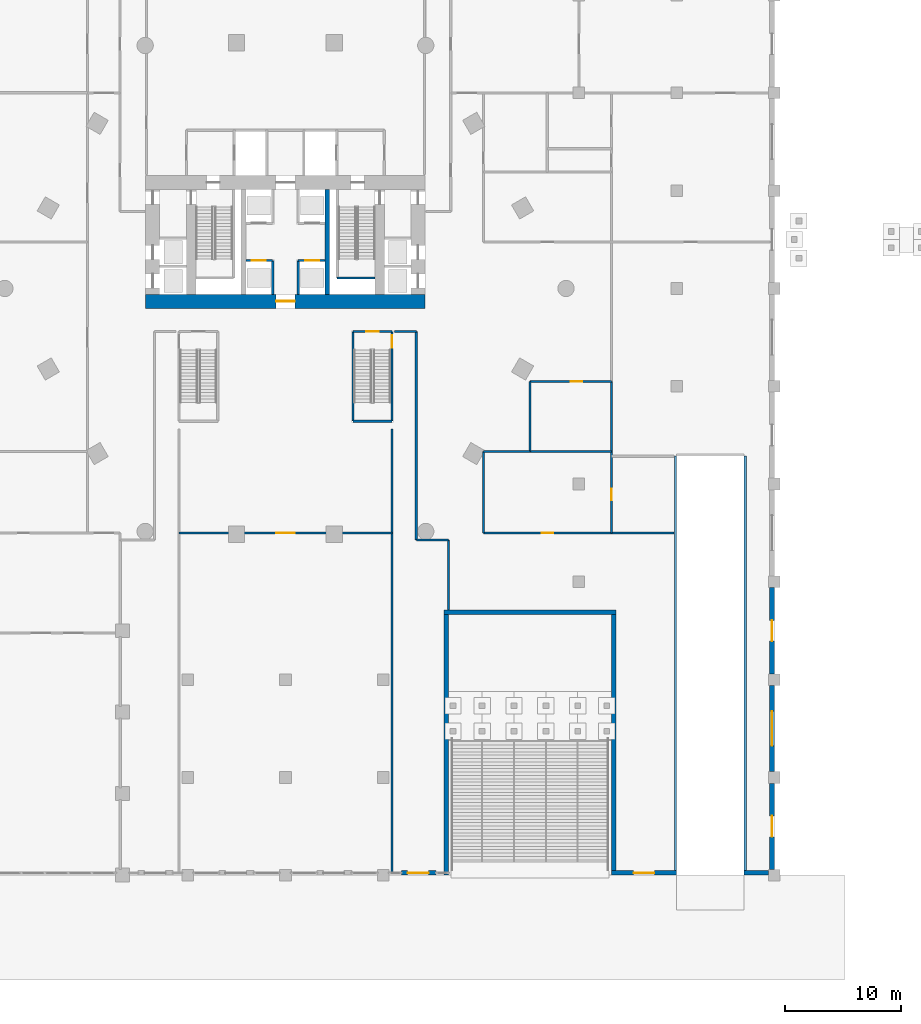
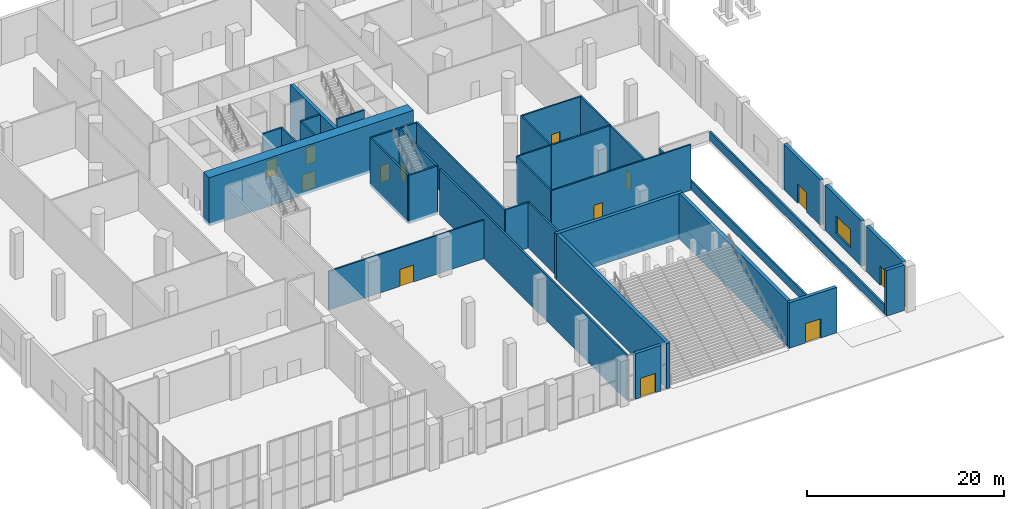
# One storey, part 14 of 25: 35 walls, 13 doors, 1 window, 14 openings.
"""IFC4 building model written with IfcOpenShell, lengths in metres."""

from ifc_helpers import new_model, si_unit, direction, frame, frame_2d, origin, place, context, subcontext, project, spatial, rectangle, extrude, material, layer, layer_set, type_object, element, fill, save


model = new_model("IFC4")

# Units and contexts
model_context = context("Model", 3, precision=1e-05, world=origin(), true_north=direction((0.0, 1.0)))
body_context = subcontext(model_context, "Body", "Model", "MODEL_VIEW")
ifc_project = project(units=[si_unit("LENGTHUNIT", "METRE"), si_unit("AREAUNIT", "SQUARE_METRE"), si_unit("VOLUMEUNIT", "CUBIC_METRE"), si_unit("PLANEANGLEUNIT", "RADIAN"), si_unit("MASSUNIT", "GRAM", prefix="KILO")], contexts=[model_context])

# Site, building, storey
site_placement = place(None, origin())
site = spatial("IfcSite", under=ifc_project, at=site_placement, CompositionType="ELEMENT")
building_placement = place(site_placement, origin())
building = spatial("IfcBuilding", under=site, at=building_placement, Name="Ostrander Bayou Hotel Tower", CompositionType="ELEMENT")
storey_placement = place(building_placement, origin())
storey = spatial("IfcBuildingStorey", under=building, at=storey_placement, Name="L00", CompositionType="ELEMENT", Elevation=0.0)

# Wall, opening, door
ifc_material_1 = material(Name="Concrete f'c 70 MPa", Category="concrete")
ifc_layer_1 = layer(ifc_material_1, 1.199951171875)
ifc_layer_set_1 = layer_set([ifc_layer_1], Name="CW1 core wall 1200 mm f'c 70 MPa")
wall_type_1 = type_object("IfcWallType", Name="CW1 core wall 1200 mm f'c 70 MPa", PredefinedType="SHEAR", material=ifc_layer_set_1)
wall_1_placement = place(storey_placement, frame((-12.0, -1.10009765625, -0.35009765625), z_axis=(0.0, 0.0, 1.0), x_axis=(1.0, 0.0, 0.0)))
wall_1 = element("IfcWall", 1, at=wall_1_placement, inside=storey, type_object=wall_type_1, Name="CW1 L00 S", PredefinedType="SHEAR", context=body_context, shape_type="SweptSolid", body=[
    extrude(rectangle(XDim=24.0, YDim=1.199951171875, at=frame_2d((12.0, 0.0))), origin(), (0.0, 0.0, 1.0), 6.0),
])
opening_1_placement = place(wall_1_placement, frame((11.199951171875, 0.0, 0.0)))
opening_1 = element("IfcOpeningElement", 2, at=opening_1_placement, cuts=wall_1, Name="Opening T00-005", PredefinedType="OPENING", context=body_context, shape_type="SweptSolid", body=[
    extrude(rectangle(XDim=1.60009765625, YDim=2.10009765625, at=frame_2d((0.800048828125, 1.050048828125))), frame((0.0, 0.60009765625, 0.0), z_axis=(0.0, -1.0, 0.0), x_axis=(1.0, 0.0, 0.0)), (0.0, 0.0, 1.0), 1.199951171875),
])
ifc_material_2 = material(Name="Timber door leaf", Category="wood")
door_type_1 = type_object("IfcDoorType", Name="D13 double door 1600 x 2100 mm, 1 hour", OperationType="SINGLE_SWING_LEFT", PredefinedType="DOOR", material=ifc_material_2)
door_1_placement = place(opening_1_placement, origin())
door_1 = element("IfcDoor", 3, at=door_1_placement, inside=storey, type_object=door_type_1, Name="dr:L00:005", OperationType="DOUBLE_DOOR_SINGLE_SWING", OverallHeight=2.10009765625, OverallWidth=1.60009765625, PredefinedType="DOOR", context=body_context, shape_type="SweptSolid", body=[
    extrude(rectangle(XDim=1.60009765625, YDim=2.10009765625, at=frame_2d((0.800048828125, 1.050048828125))), frame((0.0, 0.02490234375, 0.0), z_axis=(0.0, -1.0, 0.0), x_axis=(1.0, 0.0, 0.0)), (0.0, 0.0, 1.0), 0.050048828125),
])
fill(opening_1, door_1)

# Walls
ifc_material_3 = material(Name="Concrete f'c 70 MPa", Category="concrete")
ifc_layer_2 = layer(ifc_material_3, 0.39990234375)
ifc_layer_set_2 = layer_set([ifc_layer_2], Name="CW3 core bank wall 400 mm f'c 70 MPa")
wall_type_2 = type_object("IfcWallType", Name="CW3 core bank wall 400 mm f'c 70 MPa", PredefinedType="SHEAR", material=ifc_layer_set_2)
wall_2_placement = place(storey_placement, frame((3.60009765625, -0.5, -0.35009765625), z_axis=(0.0, 0.0, 1.0), x_axis=(0.0, 1.0, 0.0)))
element("IfcWall", 4, at=wall_2_placement, inside=storey, type_object=wall_type_2, Name="CW3 L00 CE", PredefinedType="SHEAR", context=body_context, shape_type="SweptSolid", body=[
    extrude(rectangle(XDim=9.0, YDim=0.39990234375, at=frame_2d((4.5, 0.0))), origin(), (0.0, 0.0, 1.0), 6.0),
])
ifc_material_4 = material(Name="Gypsum board partition", Category="finish")
ifc_layer_3 = layer(ifc_material_4, 0.199951171875)
ifc_layer_set_3 = layer_set([ifc_layer_3], Name="PT3 demising wall 200 mm acoustic double stud, 1 hour")
wall_type_3 = type_object("IfcWallType", Name="PT3 demising wall 200 mm acoustic double stud, 1 hour", PredefinedType="PARTITIONING", material=ifc_layer_set_3)
wall_3_placement = place(storey_placement, frame((21.0, -14.0, 0.0), z_axis=(0.0, 0.0, 1.0), x_axis=(1.0, 0.0, 0.0)))
element("IfcWall", 5, at=wall_3_placement, inside=storey, type_object=wall_type_3, Name="sw:L00:038", PredefinedType="PARTITIONING", context=body_context, shape_type="SweptSolid", body=[
    extrude(rectangle(XDim=7.0, YDim=0.199951171875, at=frame_2d((3.5, 0.0))), origin(), (0.0, 0.0, 1.0), 5.64990234375),
])

# Wall, opening, door
wall_4_placement = place(storey_placement, frame((28.0, -21.0, 0.0), z_axis=(0.0, 0.0, 1.0), x_axis=(0.0, 1.0, 0.0)))
wall_4 = element("IfcWall", 6, at=wall_4_placement, inside=storey, type_object=wall_type_3, Name="sw:L00:048", PredefinedType="PARTITIONING", context=body_context, shape_type="SweptSolid", body=[
    extrude(rectangle(XDim=13.0, YDim=0.199951171875, at=frame_2d((6.5, 0.0))), origin(), (0.0, 0.0, 1.0), 5.64990234375),
])
opening_2_placement = place(wall_4_placement, frame((2.800048828125, 0.0, 0.0)))
opening_2 = element("IfcOpeningElement", 7, at=opening_2_placement, cuts=wall_4, Name="Opening T00-229", PredefinedType="OPENING", context=body_context, shape_type="SweptSolid", body=[
    extrude(rectangle(XDim=1.0, YDim=2.10009765625, at=frame_2d((0.5, 1.050048828125))), frame((0.0, 0.10009765625, 0.0), z_axis=(0.0, -1.0, 0.0), x_axis=(1.0, 0.0, 0.0)), (0.0, 0.0, 1.0), 0.199951171875),
])
ifc_material_5 = material(Name="Timber door leaf", Category="wood")
door_type_2 = type_object("IfcDoorType", Name="D9 service door 1000 x 2100 mm, 30 minute", OperationType="SINGLE_SWING_LEFT", PredefinedType="DOOR", material=ifc_material_5)
door_2_placement = place(opening_2_placement, origin())
door_2 = element("IfcDoor", 8, at=door_2_placement, inside=storey, type_object=door_type_2, Name="dr:L00:229", OperationType="SINGLE_SWING_LEFT", OverallHeight=2.10009765625, OverallWidth=1.0, PredefinedType="DOOR", context=body_context, shape_type="SweptSolid", body=[
    extrude(rectangle(XDim=1.0, YDim=2.10009765625, at=frame_2d((0.5, 1.050048828125))), frame((0.0, 0.02490234375, 0.0), z_axis=(0.0, -1.0, 0.0), x_axis=(1.0, 0.0, 0.0)), (0.0, 0.0, 1.0), 0.050048828125),
])
fill(opening_2, door_2)

ifc_material_6 = material(Name="Gypsum board partition", Category="finish")
ifc_layer_4 = layer(ifc_material_6, 0.175048828125)
ifc_layer_set_4 = layer_set([ifc_layer_4], Name="PT4 corridor wall 175 mm, 1 hour")
wall_type_4 = type_object("IfcWallType", Name="PT4 corridor wall 175 mm, 1 hour", PredefinedType="PARTITIONING", material=ifc_layer_set_4)
wall_5_placement = place(storey_placement, frame((-9.14990234375, -21.0, 0.0), z_axis=(0.0, 0.0, 1.0), x_axis=(1.0, 0.0, 0.0)))
wall_5 = element("IfcWall", 9, at=wall_5_placement, inside=storey, type_object=wall_type_4, Name="sw:L00:005", PredefinedType="PARTITIONING", context=body_context, shape_type="SweptSolid", body=[
    extrude(rectangle(XDim=18.2998046875, YDim=0.175048828125, at=frame_2d((9.14990234375, 0.0))), origin(), (0.0, 0.0, 1.0), 4.800048828125),
])
opening_3_placement = place(wall_5_placement, frame((8.35009765625, 0.0, 0.0)))
opening_3 = element("IfcOpeningElement", 10, at=opening_3_placement, cuts=wall_5, Name="Opening T00-203", PredefinedType="OPENING", context=body_context, shape_type="SweptSolid", body=[
    extrude(rectangle(XDim=1.60009765625, YDim=2.10009765625, at=frame_2d((0.800048828125, 1.050048828125))), frame((0.0, 0.08740234375, 0.0), z_axis=(0.0, -1.0, 0.0), x_axis=(1.0, 0.0, 0.0)), (0.0, 0.0, 1.0), 0.175048828125),
])
door_3_placement = place(opening_3_placement, origin())
door_3 = element("IfcDoor", 11, at=door_3_placement, inside=storey, type_object=door_type_1, Name="dr:L00:203", OperationType="DOUBLE_DOOR_SINGLE_SWING", OverallHeight=2.10009765625, OverallWidth=1.60009765625, PredefinedType="DOOR", context=body_context, shape_type="SweptSolid", body=[
    extrude(rectangle(XDim=1.60009765625, YDim=2.10009765625, at=frame_2d((0.800048828125, 1.050048828125))), frame((0.0, 0.02490234375, 0.0), z_axis=(0.0, -1.0, 0.0), x_axis=(1.0, 0.0, 0.0)), (0.0, 0.0, 1.0), 0.050048828125),
])
fill(opening_3, door_3)

wall_6_placement = place(storey_placement, frame((17.0, -21.0, 0.0), z_axis=(0.0, 0.0, 1.0), x_axis=(1.0, 0.0, 0.0)))
wall_6 = element("IfcWall", 12, at=wall_6_placement, inside=storey, type_object=wall_type_4, Name="sw:L00:006", PredefinedType="PARTITIONING", context=body_context, shape_type="SweptSolid", body=[
    extrude(rectangle(XDim=16.39501953125, YDim=0.175048828125, at=frame_2d((8.197509765625, 0.0))), origin(), (0.0, 0.0, 1.0), 5.64990234375),
])
opening_4_placement = place(wall_6_placement, frame((5.0, 0.0, 0.0)))
opening_4 = element("IfcOpeningElement", 13, at=opening_4_placement, cuts=wall_6, Name="Opening T00-214", PredefinedType="OPENING", context=body_context, shape_type="SweptSolid", body=[
    extrude(rectangle(XDim=1.0, YDim=2.10009765625, at=frame_2d((0.5, 1.050048828125))), frame((0.0, 0.08740234375, 0.0), z_axis=(0.0, -1.0, 0.0), x_axis=(1.0, 0.0, 0.0)), (0.0, 0.0, 1.0), 0.175048828125),
])
door_4_placement = place(opening_4_placement, origin())
door_4 = element("IfcDoor", 14, at=door_4_placement, inside=storey, type_object=door_type_2, Name="dr:L00:214", OperationType="SINGLE_SWING_RIGHT", OverallHeight=2.10009765625, OverallWidth=1.0, PredefinedType="DOOR", context=body_context, shape_type="SweptSolid", body=[
    extrude(rectangle(XDim=1.0, YDim=2.10009765625, at=frame_2d((0.5, 1.050048828125))), frame((0.0, 0.02490234375, 0.0), z_axis=(0.0, -1.0, 0.0), x_axis=(1.0, 0.0, 0.0)), (0.0, 0.0, 1.0), 0.050048828125),
])
fill(opening_4, door_4)

# Wall
wall_7_placement = place(storey_placement, frame((17.0, -14.0, 0.0), z_axis=(0.0, 0.0, 1.0), x_axis=(1.0, 0.0, 0.0)))
element("IfcWall", 15, at=wall_7_placement, inside=storey, type_object=wall_type_4, Name="sw:L00:008", PredefinedType="PARTITIONING", context=body_context, shape_type="SweptSolid", body=[
    extrude(rectangle(XDim=4.0, YDim=0.175048828125, at=frame_2d((2.0, 0.0))), origin(), (0.0, 0.0, 1.0), 5.64990234375),
])

# Wall, opening, door
wall_8_placement = place(storey_placement, frame((21.0, -8.0, 0.0), z_axis=(0.0, 0.0, 1.0), x_axis=(1.0, 0.0, 0.0)))
wall_8 = element("IfcWall", 16, at=wall_8_placement, inside=storey, type_object=wall_type_4, Name="sw:L00:009", PredefinedType="PARTITIONING", context=body_context, shape_type="SweptSolid", body=[
    extrude(rectangle(XDim=7.0, YDim=0.175048828125, at=frame_2d((3.5, 0.0))), origin(), (0.0, 0.0, 1.0), 5.64990234375),
])
opening_5_placement = place(wall_8_placement, frame((3.49853515625, 0.0, 0.0)))
opening_5 = element("IfcOpeningElement", 17, at=opening_5_placement, cuts=wall_8, Name="Opening T00-215", PredefinedType="OPENING", context=body_context, shape_type="SweptSolid", body=[
    extrude(rectangle(XDim=1.0, YDim=2.10009765625, at=frame_2d((0.5, 1.050048828125))), frame((0.0, 0.08740234375, 0.0), z_axis=(0.0, -1.0, 0.0), x_axis=(1.0, 0.0, 0.0)), (0.0, 0.0, 1.0), 0.175048828125),
])
door_5_placement = place(opening_5_placement, origin())
door_5 = element("IfcDoor", 18, at=door_5_placement, inside=storey, type_object=door_type_2, Name="dr:L00:215", OperationType="SINGLE_SWING_LEFT", OverallHeight=2.10009765625, OverallWidth=1.0, PredefinedType="DOOR", context=body_context, shape_type="SweptSolid", body=[
    extrude(rectangle(XDim=1.0, YDim=2.10009765625, at=frame_2d((0.5, 1.050048828125))), frame((0.0, 0.02490234375, 0.0), z_axis=(0.0, -1.0, 0.0), x_axis=(1.0, 0.0, 0.0)), (0.0, 0.0, 1.0), 0.050048828125),
])
fill(opening_5, door_5)

# Walls
wall_9_placement = place(storey_placement, frame((17.0, -21.0, 0.0), z_axis=(0.0, 0.0, 1.0), x_axis=(0.0, 1.0, 0.0)))
element("IfcWall", 19, at=wall_9_placement, inside=storey, type_object=wall_type_4, Name="sw:L00:032", PredefinedType="PARTITIONING", context=body_context, shape_type="SweptSolid", body=[
    extrude(rectangle(XDim=7.0, YDim=0.175048828125, at=frame_2d((3.5, 0.0))), origin(), (0.0, 0.0, 1.0), 5.64990234375),
])
wall_10_placement = place(storey_placement, frame((21.0, -14.0, 0.0), z_axis=(0.0, 0.0, 1.0), x_axis=(0.0, 1.0, 0.0)))
element("IfcWall", 20, at=wall_10_placement, inside=storey, type_object=wall_type_4, Name="sw:L00:034", PredefinedType="PARTITIONING", context=body_context, shape_type="SweptSolid", body=[
    extrude(rectangle(XDim=6.0, YDim=0.175048828125, at=frame_2d((3.0, 0.0))), origin(), (0.0, 0.0, 1.0), 5.64990234375),
])
ifc_material_7 = material(Name="Masonry block", Category="masonry")
ifc_layer_5 = layer(ifc_material_7, 0.199951171875)
ifc_layer_set_5 = layer_set([ifc_layer_5], Name="PT5 stair enclosure wall 200 mm masonry, 2 hour")
wall_type_5 = type_object("IfcWallType", Name="PT5 stair enclosure wall 200 mm masonry, 2 hour", PredefinedType="PARTITIONING", material=ifc_layer_set_5)
wall_11_placement = place(storey_placement, frame((11.25, -21.60009765625, 0.0), z_axis=(0.0, 0.0, 1.0), x_axis=(1.0, 0.0, 0.0)))
element("IfcWall", 21, at=wall_11_placement, inside=storey, type_object=wall_type_5, Name="sw:L00:050", PredefinedType="PARTITIONING", context=body_context, shape_type="SweptSolid", body=[
    extrude(rectangle(XDim=2.75, YDim=0.199951171875, at=frame_2d((1.375, 0.0))), origin(), (0.0, 0.0, 1.0), 5.64990234375),
])
wall_12_placement = place(storey_placement, frame((9.3798828125, -3.699951171875, 0.0), z_axis=(0.0, 0.0, 1.0), x_axis=(1.0, 0.0, 0.0)))
element("IfcWall", 22, at=wall_12_placement, inside=storey, type_object=wall_type_5, Name="sw:L00:052", PredefinedType="PARTITIONING", context=body_context, shape_type="SweptSolid", body=[
    extrude(rectangle(XDim=1.8701171875, YDim=0.199951171875, at=frame_2d((0.93505859375, 0.0))), origin(), (0.0, 0.0, 1.0), 5.64990234375),
])
wall_13_placement = place(storey_placement, frame((9.14990234375, -50.180908203125, 0.0), z_axis=(0.0, 0.0, 1.0), x_axis=(0.0, 1.0, 0.0)))
element("IfcWall", 23, at=wall_13_placement, inside=storey, type_object=wall_type_5, Name="sw:L00:059", PredefinedType="PARTITIONING", context=body_context, shape_type="SweptSolid", body=[
    extrude(rectangle(XDim=38.100830078125, YDim=0.199951171875, at=frame_2d((19.05029296875, 0.0))), origin(), (0.0, 0.0, 1.0), 5.64990234375),
])
wall_14_placement = place(storey_placement, frame((11.25, -21.60009765625, 0.0), z_axis=(0.0, 0.0, 1.0), x_axis=(0.0, 1.0, 0.0)))
element("IfcWall", 24, at=wall_14_placement, inside=storey, type_object=wall_type_5, Name="sw:L00:060", PredefinedType="PARTITIONING", context=body_context, shape_type="SweptSolid", body=[
    extrude(rectangle(XDim=17.900146484375, YDim=0.199951171875, at=frame_2d((8.9501953125, 0.0))), origin(), (0.0, 0.0, 1.0), 5.64990234375),
])
wall_15_placement = place(storey_placement, frame((14.0, -27.6201171875, 0.0), z_axis=(0.0, 0.0, 1.0), x_axis=(0.0, 1.0, 0.0)))
element("IfcWall", 25, at=wall_15_placement, inside=storey, type_object=wall_type_5, Name="sw:L00:061", PredefinedType="PARTITIONING", context=body_context, shape_type="SweptSolid", body=[
    extrude(rectangle(XDim=6.02001953125, YDim=0.199951171875, at=frame_2d((3.010009765625, 0.0))), origin(), (0.0, 0.0, 1.0), 5.64990234375),
])

# Wall, opening, door
ifc_material_8 = material(Name="Masonry block", Category="masonry")
ifc_layer_6 = layer(ifc_material_8, 0.199951171875)
ifc_layer_set_6 = layer_set([ifc_layer_6], Name="PT6 lift shaft wall 200 mm masonry, 2 hour")
wall_type_6 = type_object("IfcWallType", Name="PT6 lift shaft wall 200 mm masonry, 2 hour", PredefinedType="PARTITIONING", material=ifc_layer_set_6)
wall_16_placement = place(storey_placement, frame((-3.39990234375, 2.39990234375, 0.0), z_axis=(0.0, 0.0, 1.0), x_axis=(1.0, 0.0, 0.0)))
wall_16 = element("IfcWall", 26, at=wall_16_placement, inside=storey, type_object=wall_type_6, Name="cs:L00:001", PredefinedType="PARTITIONING", context=body_context, shape_type="SweptSolid", body=[
    extrude(rectangle(XDim=2.2998046875, YDim=0.199951171875, at=frame_2d((1.14990234375, 0.0))), origin(), (0.0, 0.0, 1.0), 5.64990234375),
])
opening_6_placement = place(wall_16_placement, frame((0.5, 0.0, 0.0)))
opening_6 = element("IfcOpeningElement", 27, at=opening_6_placement, cuts=wall_16, Name="Opening T00-001", PredefinedType="OPENING", context=body_context, shape_type="SweptSolid", body=[
    extrude(rectangle(XDim=1.199951171875, YDim=2.10009765625, at=frame_2d((0.60009765625, 1.050048828125))), frame((0.0, 0.10009765625, 0.0), z_axis=(0.0, -1.0, 0.0), x_axis=(1.0, 0.0, 0.0)), (0.0, 0.0, 1.0), 0.199951171875),
])
ifc_material_9 = material(Name="Stainless steel sliding door", Category="steel")
door_type_3 = type_object("IfcDoorType", Name="LD1 lift landing door 1200 x 2100 mm", OperationType="SINGLE_SWING_LEFT", PredefinedType="DOOR", material=ifc_material_9)
door_6_placement = place(opening_6_placement, origin())
door_6 = element("IfcDoor", 28, at=door_6_placement, inside=storey, type_object=door_type_3, Name="dr:L00:001", OperationType="SLIDING_TO_LEFT", OverallHeight=2.10009765625, OverallWidth=1.199951171875, PredefinedType="DOOR", context=body_context, shape_type="SweptSolid", body=[
    extrude(rectangle(XDim=1.199951171875, YDim=2.10009765625, at=frame_2d((0.60009765625, 1.050048828125))), frame((0.0, 0.02490234375, 0.0), z_axis=(0.0, -1.0, 0.0), x_axis=(1.0, 0.0, 0.0)), (0.0, 0.0, 1.0), 0.050048828125),
])
fill(opening_6, door_6)

wall_17_placement = place(storey_placement, frame((1.10009765625, 2.39990234375, 0.0), z_axis=(0.0, 0.0, 1.0), x_axis=(1.0, 0.0, 0.0)))
wall_17 = element("IfcWall", 29, at=wall_17_placement, inside=storey, type_object=wall_type_6, Name="cs:L00:003", PredefinedType="PARTITIONING", context=body_context, shape_type="SweptSolid", body=[
    extrude(rectangle(XDim=2.2998046875, YDim=0.199951171875, at=frame_2d((1.14990234375, 0.0))), origin(), (0.0, 0.0, 1.0), 5.64990234375),
])
opening_7_placement = place(wall_17_placement, frame((0.60009765625, 0.0, 0.0)))
opening_7 = element("IfcOpeningElement", 30, at=opening_7_placement, cuts=wall_17, Name="Opening T00-002", PredefinedType="OPENING", context=body_context, shape_type="SweptSolid", body=[
    extrude(rectangle(XDim=1.199951171875, YDim=2.10009765625, at=frame_2d((0.60009765625, 1.050048828125))), frame((0.0, 0.10009765625, 0.0), z_axis=(0.0, -1.0, 0.0), x_axis=(1.0, 0.0, 0.0)), (0.0, 0.0, 1.0), 0.199951171875),
])
door_7_placement = place(opening_7_placement, origin())
door_7 = element("IfcDoor", 31, at=door_7_placement, inside=storey, type_object=door_type_3, Name="dr:L00:002", OperationType="SLIDING_TO_LEFT", OverallHeight=2.10009765625, OverallWidth=1.199951171875, PredefinedType="DOOR", context=body_context, shape_type="SweptSolid", body=[
    extrude(rectangle(XDim=1.199951171875, YDim=2.10009765625, at=frame_2d((0.60009765625, 1.050048828125))), frame((0.0, 0.02490234375, 0.0), z_axis=(0.0, -1.0, 0.0), x_axis=(1.0, 0.0, 0.0)), (0.0, 0.0, 1.0), 0.050048828125),
])
fill(opening_7, door_7)

# Walls
for number, where, z_axis, x_axis, name in (
    (32, (-1.10009765625, -0.5, 0.0), (0.0, 0.0, 1.0), (0.0, 1.0, 0.0), "cs:L00:005"),
    (33, (1.10009765625, -0.5, 0.0), (0.0, 0.0, 1.0), (0.0, 1.0, 0.0), "cs:L00:006"),
):
    element("IfcWall", number, at=place(storey_placement, frame(where, z_axis=z_axis, x_axis=x_axis)), inside=storey, type_object=wall_type_6, Name=name, PredefinedType="PARTITIONING", context=body_context, shape_type="SweptSolid", body=[
        extrude(rectangle(XDim=2.89990234375, YDim=0.199951171875, at=frame_2d((1.449951171875, 0.0))), origin(), (0.0, 0.0, 1.0), 5.64990234375),
    ])
ifc_material_10 = material(Name="Reconstituted stone on masonry backing", Category="masonry")
ifc_layer_7 = layer(ifc_material_10, 0.39990234375)
ifc_layer_set_7 = layer_set([ifc_layer_7], Name="PW1 stone cladding wall 400 mm")
wall_type_7 = type_object("IfcWallType", Name="PW1 stone cladding wall 400 mm", PredefinedType="SOLIDWALL", material=ifc_layer_set_7)
wall_18_placement = place(storey_placement, frame((41.5, -50.199951171875, 0.0), z_axis=(0.0, 0.0, 1.0), x_axis=(-1.0, 0.0, 0.0)))
element("IfcWall", 34, at=wall_18_placement, inside=storey, type_object=wall_type_7, Name="pw:L00:0", PredefinedType="SOLIDWALL", context=body_context, shape_type="SweptSolid", body=[
    extrude(rectangle(XDim=2.10009765625, YDim=0.39990234375, at=frame_2d((1.050048828125, 0.0))), origin(), (0.0, 0.0, 1.0), 5.64990234375),
])

# Wall, opening, door
wall_19_placement = place(storey_placement, frame((33.60009765625, -50.199951171875, 0.0), z_axis=(0.0, 0.0, 1.0), x_axis=(-1.0, 0.0, 0.0)))
wall_19 = element("IfcWall", 35, at=wall_19_placement, inside=storey, type_object=wall_type_7, Name="pw:L00:1", PredefinedType="SOLIDWALL", context=body_context, shape_type="SweptSolid", body=[
    extrude(rectangle(XDim=5.60009765625, YDim=0.39990234375, at=frame_2d((2.800048828125, 0.0))), origin(), (0.0, 0.0, 1.0), 5.64990234375),
])
opening_8_placement = place(wall_19_placement, frame((1.89990234375, 0.0, 0.0)))
opening_8 = element("IfcOpeningElement", 36, at=opening_8_placement, cuts=wall_19, Name="Opening E1", PredefinedType="OPENING", context=body_context, shape_type="SweptSolid", body=[
    extrude(rectangle(XDim=1.800048828125, YDim=2.39990234375, at=frame_2d((0.89990234375, 1.199951171875))), frame((0.0, 0.199951171875, 0.0), z_axis=(0.0, -1.0, 0.0), x_axis=(1.0, 0.0, 0.0)), (0.0, 0.0, 1.0), 0.39990234375),
])
ifc_material_11 = material(Name="Aluminium and clear glass", Category="aluminium")
door_type_4 = type_object("IfcDoorType", Name="ED1 entrance door 1800 mm", OperationType="DOUBLE_DOOR_SINGLE_SWING", PredefinedType="DOOR", material=ifc_material_11)
door_8_placement = place(opening_8_placement, origin())
door_8 = element("IfcDoor", 37, at=door_8_placement, inside=storey, type_object=door_type_4, Name="ED1 E1", OperationType="SINGLE_SWING_LEFT", OverallHeight=2.39990234375, OverallWidth=1.800048828125, PredefinedType="DOOR", context=body_context, shape_type="SweptSolid", body=[
    extrude(rectangle(XDim=1.800048828125, YDim=2.39990234375, at=frame_2d((0.89990234375, 1.199951171875))), frame((0.0, 0.02490234375, 0.0), z_axis=(0.0, -1.0, 0.0), x_axis=(1.0, 0.0, 0.0)), (0.0, 0.0, 1.0), 0.050048828125),
])
fill(opening_8, door_8)

wall_20_placement = place(storey_placement, frame((12.949951171875, -50.199951171875, 0.0), z_axis=(0.0, 0.0, 1.0), x_axis=(-1.0, 0.0, 0.0)))
wall_20 = element("IfcWall", 38, at=wall_20_placement, inside=storey, type_object=wall_type_7, Name="pw:L00:2", PredefinedType="SOLIDWALL", context=body_context, shape_type="SweptSolid", body=[
    extrude(rectangle(XDim=3.0, YDim=0.39990234375, at=frame_2d((1.5, 0.0))), origin(), (0.0, 0.0, 1.0), 5.64990234375),
])
opening_9_placement = place(wall_20_placement, frame((0.64990234375, 0.0, 0.0)))
opening_9 = element("IfcOpeningElement", 39, at=opening_9_placement, cuts=wall_20, Name="Opening E2", PredefinedType="OPENING", context=body_context, shape_type="SweptSolid", body=[
    extrude(rectangle(XDim=1.800048828125, YDim=2.39990234375, at=frame_2d((0.89990234375, 1.199951171875))), frame((0.0, 0.199951171875, 0.0), z_axis=(0.0, -1.0, 0.0), x_axis=(1.0, 0.0, 0.0)), (0.0, 0.0, 1.0), 0.39990234375),
])
door_9_placement = place(opening_9_placement, origin())
door_9 = element("IfcDoor", 40, at=door_9_placement, inside=storey, type_object=door_type_4, Name="ED1 E2", OperationType="SINGLE_SWING_LEFT", OverallHeight=2.39990234375, OverallWidth=1.800048828125, PredefinedType="DOOR", context=body_context, shape_type="SweptSolid", body=[
    extrude(rectangle(XDim=1.800048828125, YDim=2.39990234375, at=frame_2d((0.89990234375, 1.199951171875))), frame((0.0, 0.02490234375, 0.0), z_axis=(0.0, -1.0, 0.0), x_axis=(1.0, 0.0, 0.0)), (0.0, 0.0, 1.0), 0.050048828125),
])
fill(opening_9, door_9)

wall_21_placement = place(storey_placement, frame((41.800048828125, -25.699951171875, 0.0), z_axis=(0.0, 0.0, 1.0), x_axis=(0.0, -1.0, 0.0)))
wall_21 = element("IfcWall", 41, at=wall_21_placement, inside=storey, type_object=wall_type_7, Name="pw:L00:16", PredefinedType="SOLIDWALL", context=body_context, shape_type="SweptSolid", body=[
    extrude(rectangle(XDim=7.400146484375, YDim=0.39990234375, at=frame_2d((3.7001953125, 0.0))), origin(), (0.0, 0.0, 1.0), 5.64990234375),
])
opening_10_placement = place(wall_21_placement, frame((2.800048828125, 0.0, 0.0)))
opening_10 = element("IfcOpeningElement", 42, at=opening_10_placement, cuts=wall_21, Name="Opening E9", PredefinedType="OPENING", context=body_context, shape_type="SweptSolid", body=[
    extrude(rectangle(XDim=1.800048828125, YDim=2.39990234375, at=frame_2d((0.89990234375, 1.199951171875))), frame((0.0, 0.199951171875, 0.0), z_axis=(0.0, -1.0, 0.0), x_axis=(1.0, 0.0, 0.0)), (0.0, 0.0, 1.0), 0.39990234375),
])
door_10_placement = place(opening_10_placement, origin())
door_10 = element("IfcDoor", 43, at=door_10_placement, inside=storey, type_object=door_type_4, Name="ED1 E9", OperationType="SINGLE_SWING_LEFT", OverallHeight=2.39990234375, OverallWidth=1.800048828125, PredefinedType="DOOR", context=body_context, shape_type="SweptSolid", body=[
    extrude(rectangle(XDim=1.800048828125, YDim=2.39990234375, at=frame_2d((0.89990234375, 1.199951171875))), frame((0.0, 0.02490234375, 0.0), z_axis=(0.0, -1.0, 0.0), x_axis=(1.0, 0.0, 0.0)), (0.0, 0.0, 1.0), 0.050048828125),
])
fill(opening_10, door_10)

# Wall, opening, window
wall_22_placement = place(storey_placement, frame((41.800048828125, -34.10009765625, 0.0), z_axis=(0.0, 0.0, 1.0), x_axis=(0.0, -1.0, 0.0)))
wall_22 = element("IfcWall", 44, at=wall_22_placement, inside=storey, type_object=wall_type_7, Name="pw:L00:17", PredefinedType="SOLIDWALL", context=body_context, shape_type="SweptSolid", body=[
    extrude(rectangle(XDim=7.39990234375, YDim=0.39990234375, at=frame_2d((3.699951171875, 0.0))), origin(), (0.0, 0.0, 1.0), 5.64990234375),
])
opening_11_placement = place(wall_22_placement, frame((2.199951171875, 0.0, 1.0)))
opening_11 = element("IfcOpeningElement", 45, at=opening_11_placement, cuts=wall_22, Name="Opening W6", PredefinedType="OPENING", context=body_context, shape_type="SweptSolid", body=[
    extrude(rectangle(XDim=3.0, YDim=2.199951171875, at=frame_2d((1.5, 1.10009765625))), frame((0.0, 0.199951171875, 0.0), z_axis=(0.0, -1.0, 0.0), x_axis=(1.0, 0.0, 0.0)), (0.0, 0.0, 1.0), 0.39990234375),
])
ifc_material_12 = material(Name="Aluminium and clear glass", Category="aluminium")
window_type = type_object("IfcWindowType", Name="W6 podium window 3000 mm", PartitioningType="SINGLE_PANEL", PredefinedType="WINDOW", material=ifc_material_12)
window_placement = place(opening_11_placement, origin())
window = element("IfcWindow", 46, at=window_placement, inside=storey, type_object=window_type, Name="W6 L00 17", OverallHeight=2.199951171875, OverallWidth=3.0, PartitioningType="SINGLE_PANEL", PredefinedType="WINDOW", context=body_context, shape_type="SweptSolid", body=[
    extrude(rectangle(XDim=3.0, YDim=2.199951171875, at=frame_2d((1.5, 1.10009765625))), frame((0.0, 0.030029296875, 0.0), z_axis=(0.0, -1.0, 0.0), x_axis=(1.0, 0.0, 0.0)), (0.0, 0.0, 1.0), 0.06005859375),
])
fill(opening_11, window)

# Wall, opening, door
wall_23_placement = place(storey_placement, frame((41.800048828125, -42.5, 0.0), z_axis=(0.0, 0.0, 1.0), x_axis=(0.0, -1.0, 0.0)))
wall_23 = element("IfcWall", 47, at=wall_23_placement, inside=storey, type_object=wall_type_7, Name="pw:L00:18", PredefinedType="SOLIDWALL", context=body_context, shape_type="SweptSolid", body=[
    extrude(rectangle(XDim=7.39990234375, YDim=0.39990234375, at=frame_2d((3.699951171875, 0.0))), origin(), (0.0, 0.0, 1.0), 5.64990234375),
])
opening_12_placement = place(wall_23_placement, frame((2.800048828125, 0.0, 0.0)))
opening_12 = element("IfcOpeningElement", 48, at=opening_12_placement, cuts=wall_23, Name="Opening E10", PredefinedType="OPENING", context=body_context, shape_type="SweptSolid", body=[
    extrude(rectangle(XDim=1.800048828125, YDim=2.39990234375, at=frame_2d((0.89990234375, 1.199951171875))), frame((0.0, 0.199951171875, 0.0), z_axis=(0.0, -1.0, 0.0), x_axis=(1.0, 0.0, 0.0)), (0.0, 0.0, 1.0), 0.39990234375),
])
door_11_placement = place(opening_12_placement, origin())
door_11 = element("IfcDoor", 49, at=door_11_placement, inside=storey, type_object=door_type_4, Name="ED1 E10", OperationType="SINGLE_SWING_LEFT", OverallHeight=2.39990234375, OverallWidth=1.800048828125, PredefinedType="DOOR", context=body_context, shape_type="SweptSolid", body=[
    extrude(rectangle(XDim=1.800048828125, YDim=2.39990234375, at=frame_2d((0.89990234375, 1.199951171875))), frame((0.0, 0.02490234375, 0.0), z_axis=(0.0, -1.0, 0.0), x_axis=(1.0, 0.0, 0.0)), (0.0, 0.0, 1.0), 0.050048828125),
])
fill(opening_12, door_11)

# Walls
for number, where, z_axis, x_axis, name in (
    (50, (13.800048828125, -27.60009765625, 0.0), (0.0, 0.0, 1.0), (0.0, -1.0, 0.0), "PW1 L00 garden stair zone wall W"),
    (51, (28.199951171875, -50.39990234375, 0.0), (0.0, 0.0, 1.0), (0.0, 1.0, 0.0), "PW1 L00 garden stair zone wall E"),
):
    element("IfcWall", number, at=place(storey_placement, frame(where, z_axis=z_axis, x_axis=x_axis)), inside=storey, type_object=wall_type_7, Name=name, PredefinedType="SOLIDWALL", context=body_context, shape_type="SweptSolid", body=[
        extrude(rectangle(XDim=22.7998046875, YDim=0.39990234375, at=frame_2d((11.39990234375, 0.0))), origin(), (0.0, 0.0, 1.0), 5.64990234375),
    ])
wall_24_placement = place(storey_placement, frame((13.60009765625, -27.800048828125, 0.0), z_axis=(0.0, 0.0, 1.0), x_axis=(1.0, 0.0, 0.0)))
element("IfcWall", 52, at=wall_24_placement, inside=storey, type_object=wall_type_7, Name="PW1 L00 garden stair zone wall N", PredefinedType="SOLIDWALL", context=body_context, shape_type="SweptSolid", body=[
    extrude(rectangle(XDim=14.7998046875, YDim=0.39990234375, at=frame_2d((7.39990234375, 0.0))), origin(), (0.0, 0.0, 1.0), 5.64990234375),
])
ifc_material_13 = material(Name="Concrete f'c 40 MPa", Category="concrete")
ifc_layer_8 = layer(ifc_material_13, 0.199951171875)
ifc_layer_set_8 = layer_set([ifc_layer_8], Name="RP1 ramp well parapet 200 mm")
wall_type_8 = type_object("IfcWallType", Name="RP1 ramp well parapet 200 mm", PredefinedType="PARAPET", material=ifc_layer_set_8)
for number, where, z_axis, x_axis, name in (
    (53, (39.5, -50.39990234375, 0.0), (0.0, 0.0, 1.0), (0.0, 1.0, 0.0), "RP1 L00 ramp 1"),
    (54, (33.5, -14.39990234375, 0.0), (0.0, 0.0, 1.0), (0.0, -1.0, 0.0), "RP1 L00 ramp 3"),
):
    element("IfcWall", number, at=place(storey_placement, frame(where, z_axis=z_axis, x_axis=x_axis)), inside=storey, type_object=wall_type_8, Name=name, PredefinedType="PARAPET", context=body_context, shape_type="SweptSolid", body=[
        extrude(rectangle(XDim=36.0, YDim=0.199951171875, at=frame_2d((18.0, 0.0))), origin(), (0.0, 0.0, 1.0), 1.10009765625),
    ])
ifc_material_14 = material(Name="Concrete f'c 45 MPa", Category="concrete")
ifc_layer_9 = layer(ifc_material_14, 0.199951171875)
ifc_layer_set_9 = layer_set([ifc_layer_9], Name="SW5 stair enclosure wall 200 mm f'c 45 MPa")
wall_type_9 = type_object("IfcWallType", Name="SW5 stair enclosure wall 200 mm f'c 45 MPa", PredefinedType="SOLIDWALL", material=ifc_layer_set_9)
wall_25_placement = place(storey_placement, frame((4.449951171875, 0.89990234375, -0.35009765625), z_axis=(0.0, 0.0, 1.0), x_axis=(1.0, 0.0, 0.0)))
element("IfcWall", 55, at=wall_25_placement, inside=storey, type_object=wall_type_9, Name="cs:L00:012", PredefinedType="SOLIDWALL", context=body_context, shape_type="SweptSolid", body=[
    extrude(rectangle(XDim=3.25, YDim=0.199951171875, at=frame_2d((1.625, 0.0))), origin(), (0.0, 0.0, 1.0), 6.0),
])

# Wall, opening, door
wall_26_placement = place(storey_placement, frame((5.800048828125, -3.699951171875, -0.35009765625), z_axis=(0.0, 0.0, 1.0), x_axis=(1.0, 0.0, 0.0)))
wall_26 = element("IfcWall", 56, at=wall_26_placement, inside=storey, type_object=wall_type_9, Name="cs:L00:013", PredefinedType="SOLIDWALL", context=body_context, shape_type="SweptSolid", body=[
    extrude(rectangle(XDim=3.349853515625, YDim=0.199951171875, at=frame_2d((1.6748046875, 0.0))), origin(), (0.0, 0.0, 1.0), 6.0),
])
opening_13_placement = place(wall_26_placement, frame((1.125, 0.0, 0.0)))
opening_13 = element("IfcOpeningElement", 57, at=opening_13_placement, cuts=wall_26, Name="Opening T00-011", PredefinedType="OPENING", context=body_context, shape_type="SweptSolid", body=[
    extrude(rectangle(XDim=1.10009765625, YDim=2.10009765625, at=frame_2d((0.550048828125, 1.050048828125))), frame((0.0, 0.10009765625, 0.0), z_axis=(0.0, -1.0, 0.0), x_axis=(1.0, 0.0, 0.0)), (0.0, 0.0, 1.0), 0.199951171875),
])
ifc_material_15 = material(Name="Timber door leaf", Category="wood")
door_type_5 = type_object("IfcDoorType", Name="D5 stair door 1100 x 2100 mm, 90 minute", OperationType="SINGLE_SWING_LEFT", PredefinedType="DOOR", material=ifc_material_15)
door_12_placement = place(opening_13_placement, origin())
door_12 = element("IfcDoor", 58, at=door_12_placement, inside=storey, type_object=door_type_5, Name="dr:L00:011", OperationType="SINGLE_SWING_LEFT", OverallHeight=2.10009765625, OverallWidth=1.10009765625, PredefinedType="DOOR", context=body_context, shape_type="SweptSolid", body=[
    extrude(rectangle(XDim=1.10009765625, YDim=2.10009765625, at=frame_2d((0.550048828125, 1.050048828125))), frame((0.0, 0.02490234375, 0.0), z_axis=(0.0, -1.0, 0.0), x_axis=(1.0, 0.0, 0.0)), (0.0, 0.0, 1.0), 0.050048828125),
])
fill(opening_13, door_12)

# Wall
wall_27_placement = place(storey_placement, frame((5.800048828125, -3.699951171875, -0.35009765625), z_axis=(0.0, 0.0, 1.0), x_axis=(0.0, -1.0, 0.0)))
element("IfcWall", 59, at=wall_27_placement, inside=storey, type_object=wall_type_9, Name="cs:L00:014", PredefinedType="SOLIDWALL", context=body_context, shape_type="SweptSolid", body=[
    extrude(rectangle(XDim=7.699951171875, YDim=0.199951171875, at=frame_2d((3.85009765625, 0.0))), origin(), (0.0, 0.0, 1.0), 6.0),
])

# Wall, opening, door
wall_28_placement = place(storey_placement, frame((9.14990234375, -3.699951171875, -0.35009765625), z_axis=(0.0, 0.0, 1.0), x_axis=(0.0, -1.0, 0.0)))
wall_28 = element("IfcWall", 60, at=wall_28_placement, inside=storey, type_object=wall_type_9, Name="cs:L00:015", PredefinedType="SOLIDWALL", context=body_context, shape_type="SweptSolid", body=[
    extrude(rectangle(XDim=7.699951171875, YDim=0.199951171875, at=frame_2d((3.85009765625, 0.0))), origin(), (0.0, 0.0, 1.0), 6.0),
])
opening_14_placement = place(wall_28_placement, frame((0.300048828125, 0.0, 0.0)))
opening_14 = element("IfcOpeningElement", 61, at=opening_14_placement, cuts=wall_28, Name="Opening T00-232", PredefinedType="OPENING", context=body_context, shape_type="SweptSolid", body=[
    extrude(rectangle(XDim=1.10009765625, YDim=2.10009765625, at=frame_2d((0.550048828125, 1.050048828125))), frame((0.0, 0.10009765625, 0.0), z_axis=(0.0, -1.0, 0.0), x_axis=(1.0, 0.0, 0.0)), (0.0, 0.0, 1.0), 0.199951171875),
])
door_13_placement = place(opening_14_placement, origin())
door_13 = element("IfcDoor", 62, at=door_13_placement, inside=storey, type_object=door_type_5, Name="dr:L00:232", OperationType="SINGLE_SWING_LEFT", OverallHeight=2.10009765625, OverallWidth=1.10009765625, PredefinedType="DOOR", context=body_context, shape_type="SweptSolid", body=[
    extrude(rectangle(XDim=1.10009765625, YDim=2.10009765625, at=frame_2d((0.550048828125, 1.050048828125))), frame((0.0, 0.02490234375, 0.0), z_axis=(0.0, -1.0, 0.0), x_axis=(1.0, 0.0, 0.0)), (0.0, 0.0, 1.0), 0.050048828125),
])
fill(opening_14, door_13)

# Wall
wall_29_placement = place(storey_placement, frame((5.800048828125, -11.39990234375, -0.35009765625), z_axis=(0.0, 0.0, 1.0), x_axis=(1.0, 0.0, 0.0)))
element("IfcWall", 63, at=wall_29_placement, inside=storey, type_object=wall_type_9, Name="cs:L00:016", PredefinedType="SOLIDWALL", context=body_context, shape_type="SweptSolid", body=[
    extrude(rectangle(XDim=3.349853515625, YDim=0.199951171875, at=frame_2d((1.6748046875, 0.0))), origin(), (0.0, 0.0, 1.0), 6.0),
])

save(model, "model.ifc")
